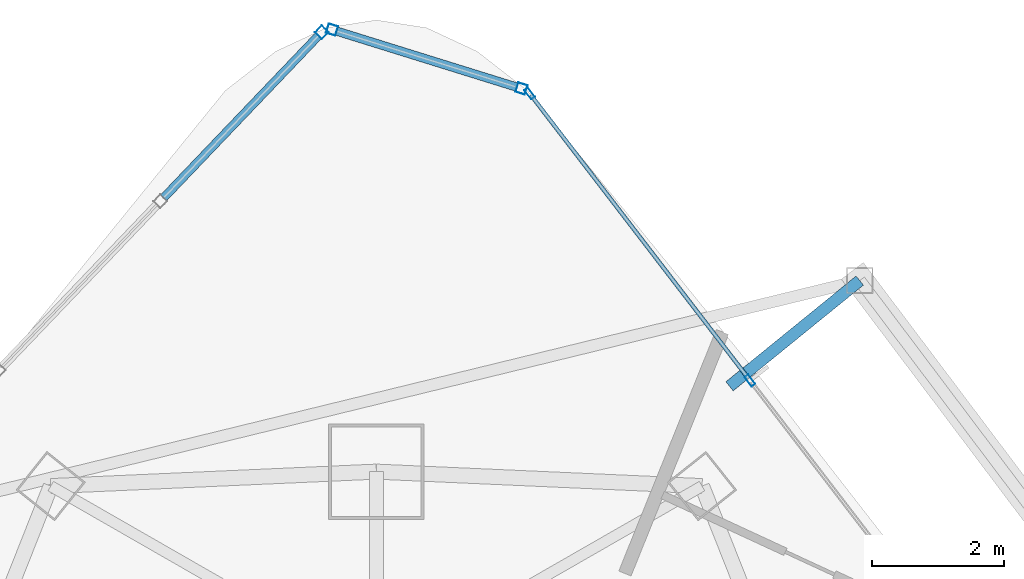
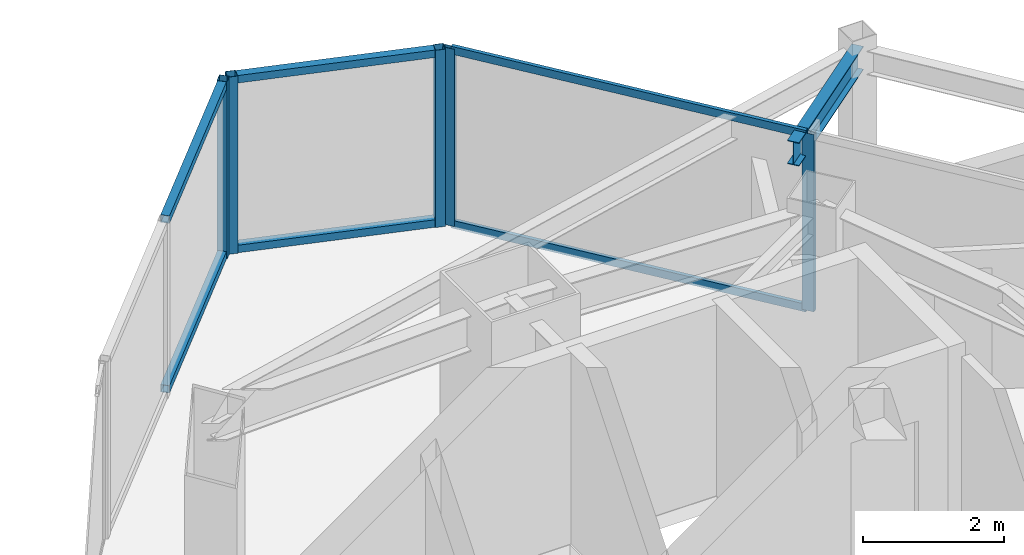
# One storey, part 24 of 31: 11 members, 1 beam, 3 elements without a shape of their own.
"""IFC4 building model written with IfcOpenShell, lengths in metres."""

from ifc_helpers import new_model, si_unit, direction, frame, origin, origin_2d, place, context, subcontext, project, spatial, hollow_rectangle, i_section, extrude, material, layer, layer_set, material_profile, profile_set, type_object, element, aggregate, save


model = new_model("IFC4")

# Units and contexts
model_context = context("Model", 3, precision=1e-05, world=origin(), true_north=direction((0.0, 1.0)))
body_context = subcontext(model_context, "Body", "Model", "MODEL_VIEW")
ifc_project = project(units=[si_unit("LENGTHUNIT", "METRE"), si_unit("AREAUNIT", "SQUARE_METRE"), si_unit("VOLUMEUNIT", "CUBIC_METRE"), si_unit("PLANEANGLEUNIT", "RADIAN"), si_unit("MASSUNIT", "GRAM", prefix="KILO")], contexts=[model_context])

# Site, building, storey
site_placement = place(None, origin())
site = spatial("IfcSite", under=ifc_project, at=site_placement, CompositionType="ELEMENT")
building_placement = place(site_placement, origin())
building = spatial("IfcBuilding", under=site, at=building_placement, Name="Orvanel Arch Residences", CompositionType="ELEMENT")
storey_placement = place(building_placement, frame((0.0, 0.0, 150.64990234375)))
storey = spatial("IfcBuildingStorey", under=building, at=storey_placement, Name="L42", CompositionType="ELEMENT", Elevation=150.64990234375)

# Curtain wall, members
ifc_material_1 = material(Name="Bronze-anodised aluminium AA6063-T6", Category="aluminium")
ifc_layer_1 = layer(ifc_material_1, 0.18994140625)
ifc_layer_set_1 = layer_set([ifc_layer_1], Name="Bronze-anodised aluminium AA6063-T6")
curtain_wall_type_1 = type_object("IfcCurtainWallType", Name="CW5-CRN-SYS", PredefinedType="NOTDEFINED", material=ifc_layer_set_1)
curtain_wall_1_placement = place(storey_placement, origin())
curtain_wall_1 = element("IfcCurtainWall", 1, at=curtain_wall_1_placement, inside=storey, type_object=curtain_wall_type_1, Name="L42 CW5-CRN-SYS Unitised Curtain Wall", PredefinedType="NOTDEFINED")
ifc_material_profile_1 = material_profile(ifc_material_1, hollow_rectangle(XDim=0.14990234375, YDim=0.14990234375, WallThickness=0.0048828125, at=origin_2d()), Name="ALU150x150x5")
ifc_profile_set_1 = profile_set([ifc_material_profile_1], Name="Bronze-anodised aluminium AA6063-T6")
member_type_1 = type_object("IfcMemberType", Name="MUL-150x150", PredefinedType="MULLION", material=ifc_profile_set_1)
member_1_placement = place(storey_placement, frame((35.204345703125, 47.22021484375, 0.0), z_axis=(0.0, 0.0, 1.0), x_axis=(-0.297015336288, -0.954872708799, 0.0)))
member_1 = element("IfcMember", 2, at=member_1_placement, type_object=member_type_1, Name="CW-S5 mullion 1", PredefinedType="MULLION", context=body_context, shape_type="SweptSolid", body=[
    extrude(hollow_rectangle(XDim=0.14990234375, YDim=0.14990234375, WallThickness=0.0048828125, at=origin_2d()), origin(), (0.0, 0.0, 1.0), 3.06005859375),
])
member_2_placement = place(storey_placement, frame((32.32568359375, 48.11572265625, 0.0), z_axis=(0.0, 0.0, 1.0), x_axis=(-0.297015336288, -0.954872708799, 0.0)))
member_2 = element("IfcMember", 3, at=member_2_placement, type_object=member_type_1, Name="CW-S5 mullion 2", PredefinedType="MULLION", context=body_context, shape_type="SweptSolid", body=[
    extrude(hollow_rectangle(XDim=0.14990234375, YDim=0.14990234375, WallThickness=0.0048828125, at=origin_2d()), origin(), (0.0, 0.0, 1.0), 3.06005859375),
])

# Curtain wall, member
curtain_wall_2_placement = place(storey_placement, origin())
curtain_wall_2 = element("IfcCurtainWall", 4, at=curtain_wall_2_placement, inside=storey, type_object=curtain_wall_type_1, Name="L42 CW5-CRN-SYS Unitised Curtain Wall", PredefinedType="NOTDEFINED")
member_3_placement = place(storey_placement, frame((32.169189453125, 48.07568359375, 0.0), z_axis=(0.0, 0.0, 1.0), x_axis=(0.723045752642, -0.69080014446, 0.0)))
member_3 = element("IfcMember", 5, at=member_3_placement, type_object=member_type_1, Name="CW-S5 mullion 1", PredefinedType="MULLION", context=body_context, shape_type="SweptSolid", body=[
    extrude(hollow_rectangle(XDim=0.14990234375, YDim=0.14990234375, WallThickness=0.0048828125, at=origin_2d()), origin(), (0.0, 0.0, 1.0), 3.06005859375),
])

# Curtain wall, members
ifc_layer_2 = layer(ifc_material_1, 0.179931640625)
ifc_layer_set_2 = layer_set([ifc_layer_2], Name="Bronze-anodised aluminium AA6063-T6")
curtain_wall_type_2 = type_object("IfcCurtainWallType", Name="CW3-MID-SYS", PredefinedType="NOTDEFINED", material=ifc_layer_set_2)
curtain_wall_3_placement = place(storey_placement, origin())
curtain_wall_3 = element("IfcCurtainWall", 6, at=curtain_wall_3_placement, inside=storey, type_object=curtain_wall_type_2, Name="L42 CW3-MID-SYS Unitised Curtain Wall", PredefinedType="NOTDEFINED")
ifc_material_profile_2 = material_profile(ifc_material_1, hollow_rectangle(XDim=0.070068359375, YDim=0.179931640625, WallThickness=0.00439453125, at=origin_2d()), Name="ALU180x70x4.5")
ifc_profile_set_2 = profile_set([ifc_material_profile_2], Name="Bronze-anodised aluminium AA6063-T6")
member_type_2 = type_object("IfcMemberType", Name="MUL-180x70", PredefinedType="MULLION", material=ifc_profile_set_2)
member_4_placement = place(storey_placement, frame((38.67822265625, 42.784423828125, 0.0), z_axis=(0.0, 0.0, 1.0), x_axis=(-0.793223434489, -0.608930688155, 0.0)))
member_4 = element("IfcMember", 7, at=member_4_placement, type_object=member_type_2, Name="CW-S3 mullion 3", PredefinedType="MULLION", context=body_context, shape_type="SweptSolid", body=[
    extrude(hollow_rectangle(XDim=0.070068359375, YDim=0.179931640625, WallThickness=0.00439453125, at=origin_2d()), origin(), (0.0, 0.0, 1.0), 3.06005859375),
])
member_5_placement = place(storey_placement, frame((35.328369140625, 47.148193359375, 0.0), z_axis=(0.0, 0.0, 1.0), x_axis=(-0.793223434489, -0.608930688155, 0.0)))
member_5 = element("IfcMember", 8, at=member_5_placement, type_object=member_type_2, Name="CW-S3 mullion 4", PredefinedType="MULLION", context=body_context, shape_type="SweptSolid", body=[
    extrude(hollow_rectangle(XDim=0.070068359375, YDim=0.179931640625, WallThickness=0.00439453125, at=origin_2d()), origin(), (0.0, 0.0, 1.0), 3.06005859375),
])

# Beam
ifc_material_2 = material(Name="Structural steel AS/NZS 3679.1 Grade 300 (300 MPa)", Category="steel")
ifc_material_profile_3 = material_profile(ifc_material_2, i_section(OverallWidth=0.177978515625, OverallDepth=0.406005859375, WebThickness=0.0078125, FlangeThickness=0.0126953125, at=origin_2d()), Name="410UB59.7")
ifc_profile_set_3 = profile_set([ifc_material_profile_3], Name="Structural steel AS/NZS 3679.1 Grade 300 (300 MPa)")
beam_type = type_object("IfcBeamType", Name="OB-410UB-EXT", PredefinedType="SPANDREL", material=ifc_profile_set_3)
beam_placement = place(storey_placement, frame((38.367919921875, 42.695068359375, 2.857177734375), z_axis=(0.776307305292, 0.630354636495, 0.0), x_axis=(-0.630354636495, 0.776307305292, 0.0)))
element("IfcBeam", 9, at=beam_placement, inside=storey, type_object=beam_type, Name="L42 Outer Frame Radial Tie Beam 12", PredefinedType="SPANDREL", context=body_context, shape_type="SweptSolid", body=[
    extrude(i_section(OverallWidth=0.177978515625, OverallDepth=0.406005859375, WebThickness=0.0078125, FlangeThickness=0.0126953125, at=origin_2d()), origin(), (0.0, 0.0, 1.0), 2.54931640625),
])

# Member
ifc_material_profile_4 = material_profile(ifc_material_1, hollow_rectangle(XDim=0.1298828125, YDim=0.1298828125, WallThickness=0.00439453125, at=origin_2d()), Name="ALU130x130x4.5")
ifc_profile_set_4 = profile_set([ifc_material_profile_4], Name="Bronze-anodised aluminium AA6063-T6")
member_type_3 = type_object("IfcMemberType", Name="TRN-130x130", PredefinedType="USERDEFINED", material=ifc_profile_set_4)
member_6_placement = place(storey_placement, frame((35.1328125, 47.242431640625, 0.065185546875), z_axis=(-0.954856776331, 0.297066552636, 0.0), x_axis=(-0.297066552636, -0.954856776331, 0.0)))
member_6 = element("IfcMember", 10, at=member_6_placement, type_object=member_type_3, Name="CW-S5 transom 1.1", ObjectType="TRANSOM", PredefinedType="USERDEFINED", context=body_context, shape_type="SweptSolid", body=[
    extrude(hollow_rectangle(XDim=0.1298828125, YDim=0.1298828125, WallThickness=0.00439453125, at=origin_2d()), origin(), (0.0, 0.0, 1.0), 2.864990234375),
])

member_7_placement = place(storey_placement, frame((35.1328125, 47.242431640625, 2.9951171875), z_axis=(-0.954856776331, 0.297066552636, 0.0), x_axis=(-0.297066552636, -0.954856776331, 0.0)))
member_7 = element("IfcMember", 11, at=member_7_placement, type_object=member_type_3, Name="CW-S5 transom 1.2", ObjectType="TRANSOM", PredefinedType="USERDEFINED", context=body_context, shape_type="SweptSolid", body=[
    extrude(hollow_rectangle(XDim=0.1298828125, YDim=0.1298828125, WallThickness=0.00439453125, at=origin_2d()), origin(), (0.0, 0.0, 1.0), 2.864990234375),
])

aggregate(curtain_wall_1, [member_1, member_2, member_6, member_7])

member_8_placement = place(storey_placement, frame((32.117431640625, 48.021484375, 0.065185546875), z_axis=(-0.690818606402, -0.723028113595, 0.0), x_axis=(0.723028113595, -0.690818606402, 0.0)))
member_8 = element("IfcMember", 12, at=member_8_placement, type_object=member_type_3, Name="CW-S5 transom 1.1", ObjectType="TRANSOM", PredefinedType="USERDEFINED", context=body_context, shape_type="SweptSolid", body=[
    extrude(hollow_rectangle(XDim=0.1298828125, YDim=0.1298828125, WallThickness=0.00439453125, at=origin_2d()), origin(), (0.0, 0.0, 1.0), 3.4033203125),
])

member_9_placement = place(storey_placement, frame((32.117431640625, 48.021484375, 2.9951171875), z_axis=(-0.690818606402, -0.723028113595, 0.0), x_axis=(0.723028113595, -0.690818606402, 0.0)))
member_9 = element("IfcMember", 13, at=member_9_placement, type_object=member_type_3, Name="CW-S5 transom 1.2", ObjectType="TRANSOM", PredefinedType="USERDEFINED", context=body_context, shape_type="SweptSolid", body=[
    extrude(hollow_rectangle(XDim=0.1298828125, YDim=0.1298828125, WallThickness=0.00439453125, at=origin_2d()), origin(), (0.0, 0.0, 1.0), 3.4033203125),
])

aggregate(curtain_wall_2, [member_3, member_8, member_9])

ifc_material_profile_5 = material_profile(ifc_material_1, hollow_rectangle(XDim=0.06005859375, YDim=0.135009765625, WallThickness=0.00390625, at=origin_2d()), Name="ALU135x60x4")
ifc_profile_set_5 = profile_set([ifc_material_profile_5], Name="Bronze-anodised aluminium AA6063-T6")
member_type_4 = type_object("IfcMemberType", Name="TRN-135x60", PredefinedType="USERDEFINED", material=ifc_profile_set_5)
member_10_placement = place(storey_placement, frame((38.656982421875, 42.81201171875, 0.030029296875), z_axis=(-0.608930617314, 0.793223488871, 0.0), x_axis=(-0.793223488871, -0.608930617314, 0.0)))
member_10 = element("IfcMember", 14, at=member_10_placement, type_object=member_type_4, Name="CW-S3 transom 3.1", ObjectType="TRANSOM", PredefinedType="USERDEFINED", context=body_context, shape_type="SweptSolid", body=[
    extrude(hollow_rectangle(XDim=0.06005859375, YDim=0.135009765625, WallThickness=0.00390625, at=origin_2d()), origin(), (0.0, 0.0, 1.0), 5.431396484375),
])

member_11_placement = place(storey_placement, frame((38.656982421875, 42.81201171875, 3.030029296875), z_axis=(-0.608930617314, 0.793223488871, 0.0), x_axis=(-0.793223488871, -0.608930617314, 0.0)))
member_11 = element("IfcMember", 15, at=member_11_placement, type_object=member_type_4, Name="CW-S3 transom 3.2", ObjectType="TRANSOM", PredefinedType="USERDEFINED", context=body_context, shape_type="SweptSolid", body=[
    extrude(hollow_rectangle(XDim=0.06005859375, YDim=0.135009765625, WallThickness=0.00390625, at=origin_2d()), origin(), (0.0, 0.0, 1.0), 5.431396484375),
])

aggregate(curtain_wall_3, [member_4, member_5, member_10, member_11])

save(model, "model.ifc")
